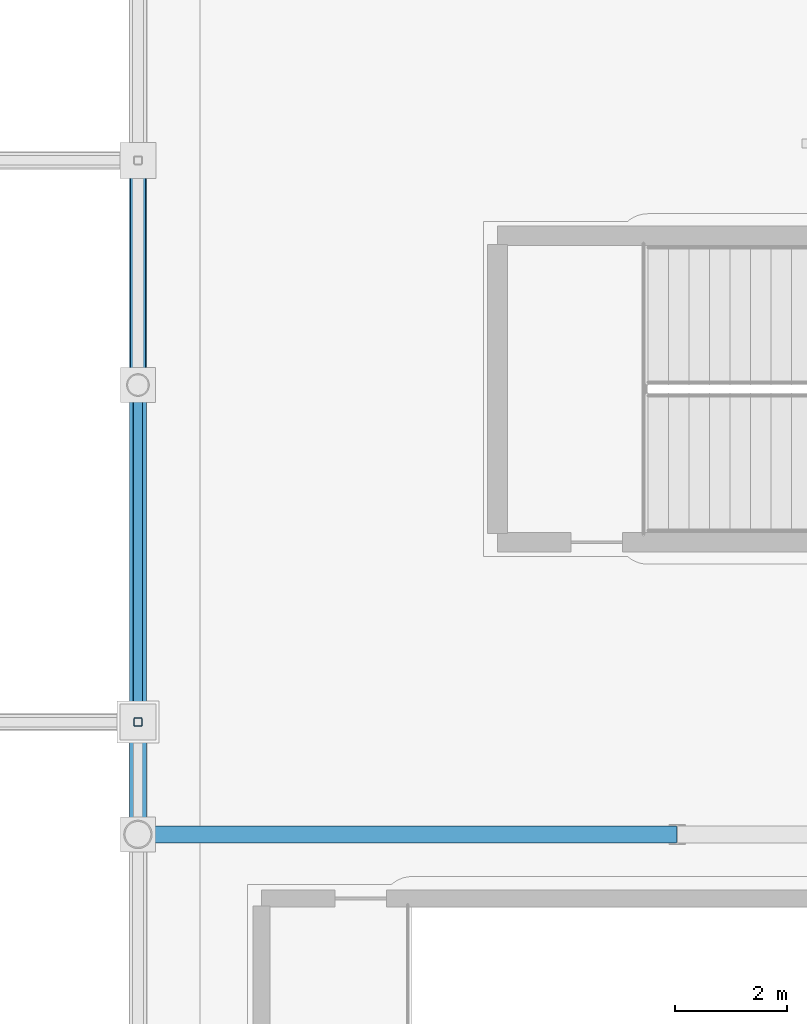
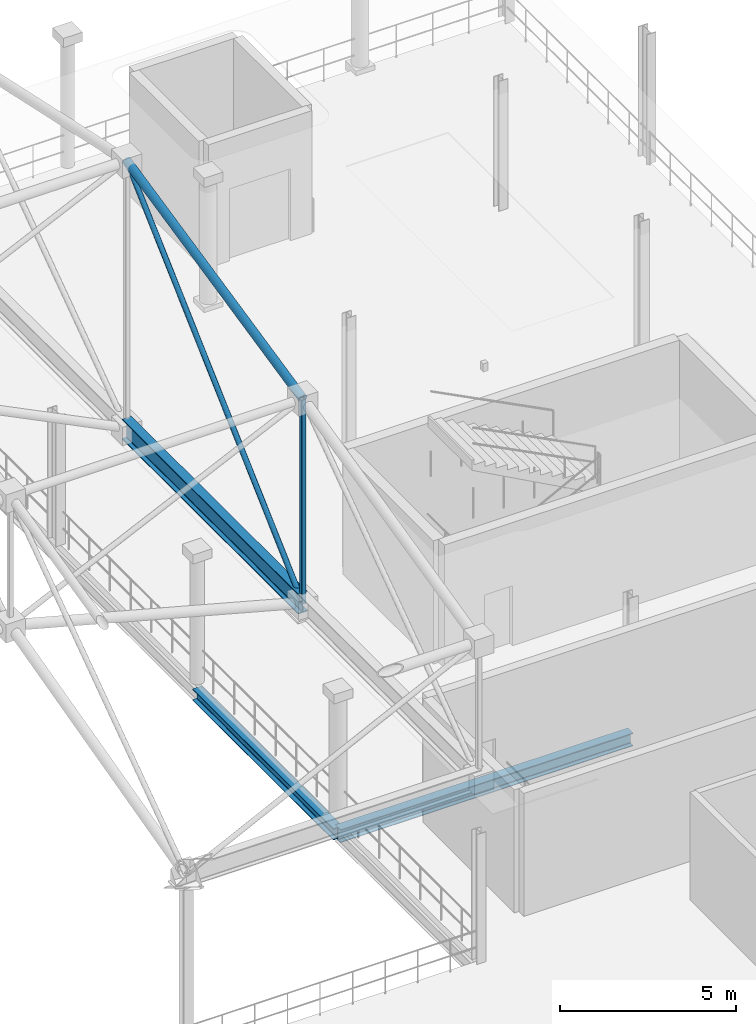
# One storey, part 86 of 193: 3 beams, 3 members.
"""IFC4 building model written with IfcOpenShell, lengths in metres."""

from ifc_helpers import new_model, si_unit, direction, frame, origin, origin_2d, place, context, subcontext, project, spatial, hollow_rectangle, hollow_circle, i_section, extrude, material, material_profile, profile_set, type_object, element, save


model = new_model("IFC4")

# Units and contexts
model_context = context("Model", 3, precision=1e-05, world=origin(), true_north=direction((0.0, 1.0)))
body_context = subcontext(model_context, "Body", "Model", "MODEL_VIEW")
ifc_project = project(units=[si_unit("LENGTHUNIT", "METRE"), si_unit("AREAUNIT", "SQUARE_METRE"), si_unit("VOLUMEUNIT", "CUBIC_METRE"), si_unit("PLANEANGLEUNIT", "RADIAN"), si_unit("MASSUNIT", "GRAM", prefix="KILO")], contexts=[model_context])

# Site, building, storey
site_placement = place(None, origin())
site = spatial("IfcSite", under=ifc_project, at=site_placement, CompositionType="ELEMENT")
building_placement = place(site_placement, origin())
building = spatial("IfcBuilding", under=site, at=building_placement, Name="Danafjord Basin Convention Centre", CompositionType="ELEMENT")
storey_placement = place(building_placement, frame((0.0, 0.0, 11.39990234375)))
storey = spatial("IfcBuildingStorey", under=building, at=storey_placement, Name="L02", CompositionType="ELEMENT", Elevation=11.39990234375)

# Beams
ifc_material = material(Name="Steel S355", Category="steel")
ifc_material_profile_1 = material_profile(ifc_material, i_section(OverallWidth=0.300048828125, OverallDepth=0.449951171875, WebThickness=0.013916015625, FlangeThickness=0.02587890625, FilletRadius=0.027099609375, at=origin_2d()), Name="HEB 450")
ifc_profile_set_1 = profile_set([ifc_material_profile_1], Name="Steel S355")
beam_type_1 = type_object("IfcBeamType", Name="BEAM-BM-HEB450", PredefinedType="BEAM", material=ifc_profile_set_1)
beam_1_placement = place(storey_placement, frame((192.0, 48.0, -0.454833984375), z_axis=(1.0, 0.0, 0.0), x_axis=(0.0, 1.0, 0.0)))
element("IfcBeam", 1, at=beam_1_placement, inside=storey, type_object=beam_type_1, Name="L02 girder BM-HEB450", PredefinedType="BEAM", context=body_context, shape_type="SweptSolid", body=[
    extrude(i_section(OverallWidth=0.300048828125, OverallDepth=0.449951171875, WebThickness=0.013916015625, FlangeThickness=0.02587890625, FilletRadius=0.027099609375, at=origin_2d()), origin(), (0.0, 0.0, 1.0), 9.60009765625),
])
ifc_material_profile_2 = material_profile(ifc_material, i_section(OverallWidth=0.300048828125, OverallDepth=0.699951171875, WebThickness=0.01708984375, FlangeThickness=0.031982421875, FilletRadius=0.027099609375, at=origin_2d()), Name="HEB 700")
ifc_profile_set_2 = profile_set([ifc_material_profile_2], Name="Steel S355")
beam_type_2 = type_object("IfcBeamType", Name="BEAM-BM-HEB700", PredefinedType="BEAM", material=ifc_profile_set_2)
beam_2_placement = place(storey_placement, frame((192.0, 50.0, 6.35009765625), z_axis=(0.0, 1.0, 0.0), x_axis=(-1.0, 0.0, 0.0)))
element("IfcBeam", 2, at=beam_2_placement, inside=storey, type_object=beam_type_2, Name="V3 space-frame perimeter ring girder", PredefinedType="BEAM", context=body_context, shape_type="SweptSolid", body=[
    extrude(i_section(OverallWidth=0.300048828125, OverallDepth=0.699951171875, WebThickness=0.01708984375, FlangeThickness=0.031982421875, FilletRadius=0.027099609375, at=origin_2d()), origin(), (0.0, 0.0, 1.0), 10.0),
])
ifc_material_profile_3 = material_profile(ifc_material, i_section(OverallWidth=0.300048828125, OverallDepth=0.39990234375, WebThickness=0.013427734375, FlangeThickness=0.02392578125, FilletRadius=0.027099609375, at=origin_2d()), Name="HEB 400")
ifc_profile_set_3 = profile_set([ifc_material_profile_3], Name="Steel S355")
beam_type_3 = type_object("IfcBeamType", Name="BEAM-SP-HEB400", PredefinedType="SPANDREL", material=ifc_profile_set_3)
beam_3_placement = place(storey_placement, frame((192.0, 48.0, -0.429931640625), z_axis=(0.0, 1.0, 0.0), x_axis=(-1.0, 0.0, 0.0)))
element("IfcBeam", 3, at=beam_3_placement, inside=storey, type_object=beam_type_3, Name="L02 transverse girder SP-HEB400", PredefinedType="SPANDREL", context=body_context, shape_type="SweptSolid", body=[
    extrude(i_section(OverallWidth=0.300048828125, OverallDepth=0.39990234375, WebThickness=0.013427734375, FlangeThickness=0.02392578125, FilletRadius=0.027099609375, at=origin_2d()), origin(), (0.0, 0.0, 1.0), 8.0),
])

# Members
ifc_material_profile_4 = material_profile(ifc_material, hollow_circle(Radius=0.136474609375, WallThickness=0.012451171875, at=origin_2d()), Name="CHS 273.0x12.5")
ifc_profile_set_4 = profile_set([ifc_material_profile_4], Name="Steel S355")
member_type_1 = type_object("IfcMemberType", Name="MEM-CH-CHS273", PredefinedType="CHORD", material=ifc_profile_set_4)
member_1_placement = place(storey_placement, frame((192.0, 50.0, 13.427978515625), z_axis=(0.0, 0.976959730358, 0.213423722345), x_axis=(-1.0, 0.0, 0.0)))
element("IfcMember", 4, at=member_1_placement, inside=storey, type_object=member_type_1, Name="V3 roof truss transverse top chord", PredefinedType="CHORD", context=body_context, shape_type="SweptSolid", body=[
    extrude(hollow_circle(Radius=0.136474609375, WallThickness=0.012451171875, at=origin_2d()), origin(), (0.0, 0.0, 1.0), 10.23583984375),
])
ifc_material_profile_5 = material_profile(ifc_material, hollow_rectangle(XDim=0.14990234375, YDim=0.14990234375, WallThickness=0.008056640625, InnerFilletRadius=0.011962890625, OuterFilletRadius=0.02001953125, at=origin_2d()), Name="SHS 150x150x8.0")
ifc_profile_set_5 = profile_set([ifc_material_profile_5], Name="Steel S355")
member_type_2 = type_object("IfcMemberType", Name="MEM-ST-SHS150", PredefinedType="STRUT", material=ifc_profile_set_5)
member_2_placement = place(storey_placement, frame((192.0, 50.0, 6.35009765625), z_axis=(0.0, 0.0, 1.0), x_axis=(1.0, 0.0, 0.0)))
element("IfcMember", 5, at=member_2_placement, inside=storey, type_object=member_type_2, Name="V3 roof truss vertical strut", PredefinedType="STRUT", context=body_context, shape_type="SweptSolid", body=[
    extrude(hollow_rectangle(XDim=0.14990234375, YDim=0.14990234375, WallThickness=0.008056640625, InnerFilletRadius=0.011962890625, OuterFilletRadius=0.02001953125, at=origin_2d()), origin(), (0.0, 0.0, 1.0), 7.077880859375),
])
ifc_material_profile_6 = material_profile(ifc_material, hollow_circle(Radius=0.084228515625, WallThickness=0.008056640625, at=origin_2d()), Name="CHS 168.3x8.0")
ifc_profile_set_6 = profile_set([ifc_material_profile_6], Name="Steel S355")
member_type_3 = type_object("IfcMemberType", Name="MEM-WB-CHS168", PredefinedType="MEMBER", material=ifc_profile_set_6)
member_3_placement = place(storey_placement, frame((192.0, 50.0, 6.35009765625), z_axis=(0.0, 0.733643922719, 0.679534101173), x_axis=(-1.0, 0.0, 0.0)))
element("IfcMember", 6, at=member_3_placement, inside=storey, type_object=member_type_3, Name="V3 space-frame transverse web", PredefinedType="MEMBER", context=body_context, shape_type="SweptSolid", body=[
    extrude(hollow_circle(Radius=0.084228515625, WallThickness=0.008056640625, at=origin_2d()), origin(), (0.0, 0.0, 1.0), 13.630615234375),
])

save(model, "model.ifc")
